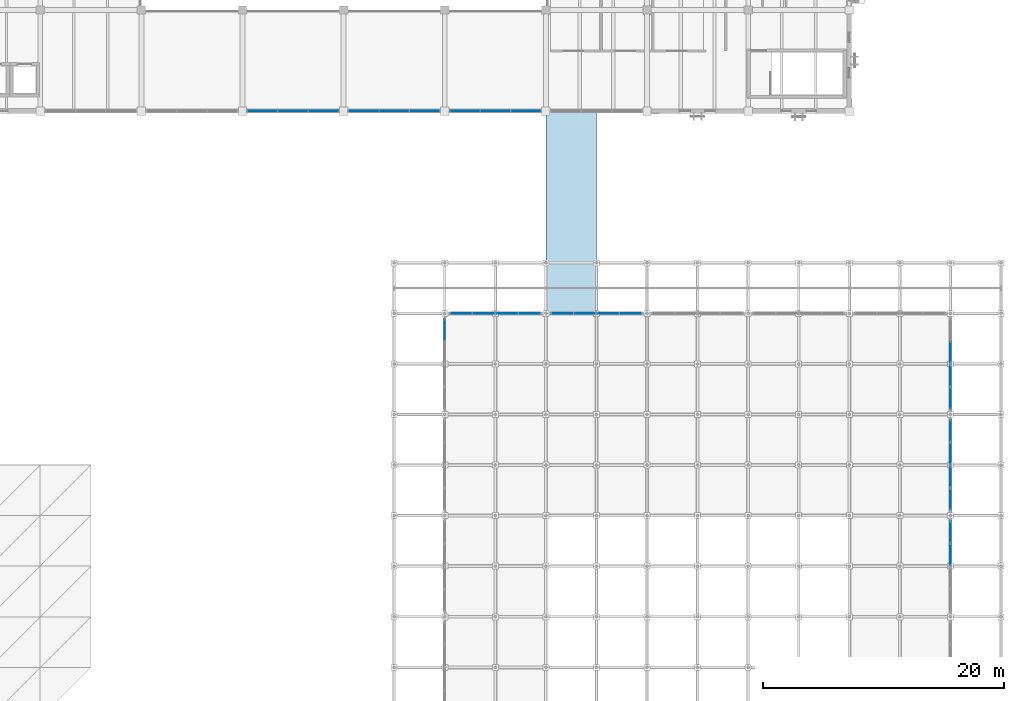
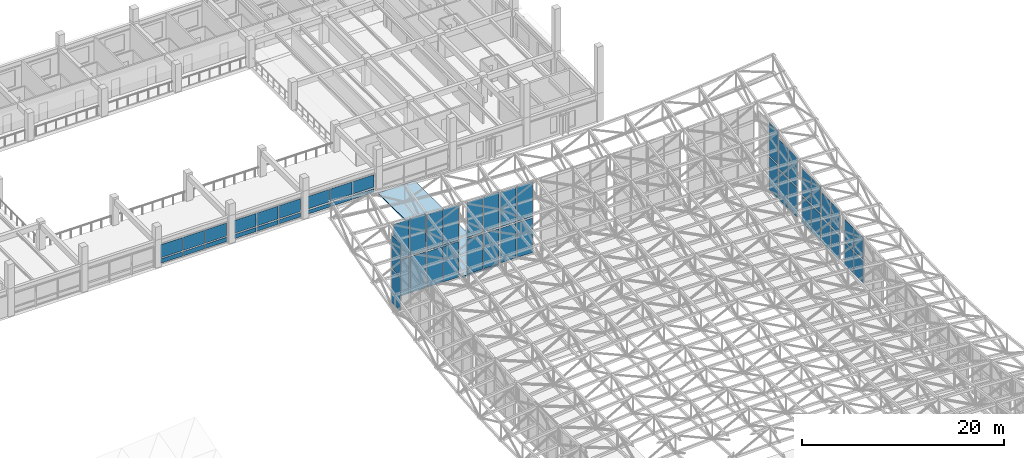
# One storey, part 71 of 123: 54 plates, 1 slab, 13 elements without a shape of their own.
"""IFC4 building model written with IfcOpenShell, lengths in metres."""

from ifc_helpers import new_model, si_unit, direction, frame, origin, origin_2d, place, context, subcontext, project, spatial, polyline, rectangle, outline, extrude, material, layer, layer_set, type_object, element, aggregate, save


model = new_model("IFC4")

# Units and contexts
model_context = context("Model", 3, precision=1e-05, world=origin(), true_north=direction((0.0, 1.0)))
body_context = subcontext(model_context, "Body", "Model", "MODEL_VIEW")
ifc_project = project(units=[si_unit("LENGTHUNIT", "METRE"), si_unit("AREAUNIT", "SQUARE_METRE"), si_unit("VOLUMEUNIT", "CUBIC_METRE"), si_unit("PLANEANGLEUNIT", "RADIAN"), si_unit("MASSUNIT", "GRAM", prefix="KILO")], contexts=[model_context])

# Site, building, storey
site_placement = place(None, origin())
site = spatial("IfcSite", under=ifc_project, at=site_placement, CompositionType="ELEMENT")
building_placement = place(site_placement, origin())
building = spatial("IfcBuilding", under=site, at=building_placement, Name="Cumbredor Promenade Congress Hotel", CompositionType="ELEMENT")
storey_placement = place(building_placement, frame((0.0, 0.0, 11.760009765625)))
storey = spatial("IfcBuildingStorey", under=building, at=storey_placement, Name="L03", CompositionType="ELEMENT", Elevation=11.760009765625)

# Curtain wall, plates
ifc_material_1 = material(Name="Thermally broken anodized aluminium and low-E glass", Category="aluminium")
curtain_wall_type_1 = type_object("IfcCurtainWallType", Name="Stepped Pavilion Clerestory Curtain Wall CW-06", PredefinedType="NOTDEFINED", material=ifc_material_1)
curtain_wall_1_placement = place(storey_placement, origin())
curtain_wall_1 = element("IfcCurtainWall", 1, at=curtain_wall_1_placement, inside=storey, type_object=curtain_wall_type_1, Name="Grand Ballroom Pavilion N Glazed Clerestory 1", PredefinedType="NOTDEFINED")
ifc_material_2 = material(Name="Laminated low-E solar-control glass", Category="glass")
ifc_layer_1 = layer(ifc_material_2, 0.031982421875, Name="Laminated low-E solar-control glass", Category="glass")
ifc_layer_set_1 = layer_set([ifc_layer_1], Name="Laminated low-E solar-control glass")
plate_type_1 = type_object("IfcPlateType", Name="Clerestory Glazed Vision Panel PNL-07", PredefinedType="CURTAIN_PANEL", material=ifc_layer_set_1)
plate_1_placement = place(storey_placement, frame((144.169921875, 67.199951171875, 0.169921875), z_axis=(0.0, 0.0, 1.0), x_axis=(1.0, 0.0, 0.0)))
plate_1 = element("IfcPlate", 2, at=plate_1_placement, type_object=plate_type_1, Name="Grand Ballroom Pavilion N Glazed Clerestory 1 Glazing Panel 1.1", PredefinedType="CURTAIN_PANEL", context=body_context, shape_type="SweptSolid", body=[
    extrude(rectangle(XDim=1.77490234375, YDim=0.031982421875, at=origin_2d()), origin(), (0.0, 0.0, 1.0), 4.3701171875),
])
plate_2_placement = place(storey_placement, frame((144.169921875, 67.199951171875, 4.719970703125), z_axis=(0.0, 0.0, 1.0), x_axis=(1.0, 0.0, 0.0)))
plate_2 = element("IfcPlate", 3, at=plate_2_placement, type_object=plate_type_1, Name="Grand Ballroom Pavilion N Glazed Clerestory 1 Glazing Panel 1.2", PredefinedType="CURTAIN_PANEL", context=body_context, shape_type="SweptSolid", body=[
    extrude(rectangle(XDim=1.77490234375, YDim=0.031982421875, at=origin_2d()), origin(), (0.0, 0.0, 1.0), 4.3701171875),
])
plate_3_placement = place(storey_placement, frame((146.030029296875, 67.199951171875, 0.169921875), z_axis=(0.0, 0.0, 1.0), x_axis=(1.0, 0.0, 0.0)))
plate_3 = element("IfcPlate", 4, at=plate_3_placement, type_object=plate_type_1, Name="Grand Ballroom Pavilion N Glazed Clerestory 1 Glazing Panel 2.1", PredefinedType="CURTAIN_PANEL", context=body_context, shape_type="SweptSolid", body=[
    extrude(rectangle(XDim=1.77490234375, YDim=0.031982421875, at=origin_2d()), origin(), (0.0, 0.0, 1.0), 4.3701171875),
])
plate_4_placement = place(storey_placement, frame((146.030029296875, 67.199951171875, 4.719970703125), z_axis=(0.0, 0.0, 1.0), x_axis=(1.0, 0.0, 0.0)))
plate_4 = element("IfcPlate", 5, at=plate_4_placement, type_object=plate_type_1, Name="Grand Ballroom Pavilion N Glazed Clerestory 1 Glazing Panel 2.2", PredefinedType="CURTAIN_PANEL", context=body_context, shape_type="SweptSolid", body=[
    extrude(rectangle(XDim=1.77490234375, YDim=0.031982421875, at=origin_2d()), origin(), (0.0, 0.0, 1.0), 4.3701171875),
])
aggregate(curtain_wall_1, [plate_1, plate_2, plate_3, plate_4])

curtain_wall_2_placement = place(storey_placement, origin())
curtain_wall_2 = element("IfcCurtainWall", 6, at=curtain_wall_2_placement, inside=storey, type_object=curtain_wall_type_1, Name="Grand Ballroom Pavilion N Glazed Clerestory 2", PredefinedType="NOTDEFINED")
plate_5_placement = place(storey_placement, frame((147.969970703125, 67.199951171875, 0.169921875), z_axis=(0.0, 0.0, 1.0), x_axis=(1.0, 0.0, 0.0)))
plate_5 = element("IfcPlate", 7, at=plate_5_placement, type_object=plate_type_1, Name="Grand Ballroom Pavilion N Glazed Clerestory 2 Glazing Panel 1.1", PredefinedType="CURTAIN_PANEL", context=body_context, shape_type="SweptSolid", body=[
    extrude(rectangle(XDim=1.77490234375, YDim=0.031982421875, at=origin_2d()), origin(), (0.0, 0.0, 1.0), 4.280029296875),
])
plate_6_placement = place(storey_placement, frame((147.969970703125, 67.199951171875, 4.6298828125), z_axis=(0.0, 0.0, 1.0), x_axis=(1.0, 0.0, 0.0)))
plate_6 = element("IfcPlate", 8, at=plate_6_placement, type_object=plate_type_1, Name="Grand Ballroom Pavilion N Glazed Clerestory 2 Glazing Panel 1.2", PredefinedType="CURTAIN_PANEL", context=body_context, shape_type="SweptSolid", body=[
    extrude(rectangle(XDim=1.77490234375, YDim=0.031982421875, at=origin_2d()), origin(), (0.0, 0.0, 1.0), 4.2900390625),
])
plate_7_placement = place(storey_placement, frame((149.830078125, 67.199951171875, 0.169921875), z_axis=(0.0, 0.0, 1.0), x_axis=(1.0, 0.0, 0.0)))
plate_7 = element("IfcPlate", 9, at=plate_7_placement, type_object=plate_type_1, Name="Grand Ballroom Pavilion N Glazed Clerestory 2 Glazing Panel 2.1", PredefinedType="CURTAIN_PANEL", context=body_context, shape_type="SweptSolid", body=[
    extrude(rectangle(XDim=1.77490234375, YDim=0.031982421875, at=origin_2d()), origin(), (0.0, 0.0, 1.0), 4.280029296875),
])
plate_8_placement = place(storey_placement, frame((149.830078125, 67.199951171875, 4.6298828125), z_axis=(0.0, 0.0, 1.0), x_axis=(1.0, 0.0, 0.0)))
plate_8 = element("IfcPlate", 10, at=plate_8_placement, type_object=plate_type_1, Name="Grand Ballroom Pavilion N Glazed Clerestory 2 Glazing Panel 2.2", PredefinedType="CURTAIN_PANEL", context=body_context, shape_type="SweptSolid", body=[
    extrude(rectangle(XDim=1.77490234375, YDim=0.031982421875, at=origin_2d()), origin(), (0.0, 0.0, 1.0), 4.2900390625),
])
aggregate(curtain_wall_2, [plate_5, plate_6, plate_7, plate_8])

curtain_wall_3_placement = place(storey_placement, origin())
curtain_wall_3 = element("IfcCurtainWall", 11, at=curtain_wall_3_placement, inside=storey, type_object=curtain_wall_type_1, Name="Grand Ballroom Pavilion N Glazed Clerestory 3", PredefinedType="NOTDEFINED")
plate_9_placement = place(storey_placement, frame((152.570068359375, 67.199951171875, 0.169921875), z_axis=(0.0, 0.0, 1.0), x_axis=(1.0, 0.0, 0.0)))
plate_9 = element("IfcPlate", 12, at=plate_9_placement, type_object=plate_type_1, Name="Grand Ballroom Pavilion N Glazed Clerestory 3 Glazing Panel 1.1", PredefinedType="CURTAIN_PANEL", context=body_context, shape_type="SweptSolid", body=[
    extrude(rectangle(XDim=1.77490234375, YDim=0.031982421875, at=origin_2d()), origin(), (0.0, 0.0, 1.0), 4.219970703125),
])
plate_10_placement = place(storey_placement, frame((152.570068359375, 67.199951171875, 4.570068359375), z_axis=(0.0, 0.0, 1.0), x_axis=(1.0, 0.0, 0.0)))
plate_10 = element("IfcPlate", 13, at=plate_10_placement, type_object=plate_type_1, Name="Grand Ballroom Pavilion N Glazed Clerestory 3 Glazing Panel 1.2", PredefinedType="CURTAIN_PANEL", context=body_context, shape_type="SweptSolid", body=[
    extrude(rectangle(XDim=1.77490234375, YDim=0.031982421875, at=origin_2d()), origin(), (0.0, 0.0, 1.0), 4.22998046875),
])
plate_11_placement = place(storey_placement, frame((154.429931640625, 67.199951171875, 0.169921875), z_axis=(0.0, 0.0, 1.0), x_axis=(1.0, 0.0, 0.0)))
plate_11 = element("IfcPlate", 14, at=plate_11_placement, type_object=plate_type_1, Name="Grand Ballroom Pavilion N Glazed Clerestory 3 Glazing Panel 2.1", PredefinedType="CURTAIN_PANEL", context=body_context, shape_type="SweptSolid", body=[
    extrude(rectangle(XDim=1.77490234375, YDim=0.031982421875, at=origin_2d()), origin(), (0.0, 0.0, 1.0), 4.219970703125),
])
plate_12_placement = place(storey_placement, frame((154.429931640625, 67.199951171875, 4.570068359375), z_axis=(0.0, 0.0, 1.0), x_axis=(1.0, 0.0, 0.0)))
plate_12 = element("IfcPlate", 15, at=plate_12_placement, type_object=plate_type_1, Name="Grand Ballroom Pavilion N Glazed Clerestory 3 Glazing Panel 2.2", PredefinedType="CURTAIN_PANEL", context=body_context, shape_type="SweptSolid", body=[
    extrude(rectangle(XDim=1.77490234375, YDim=0.031982421875, at=origin_2d()), origin(), (0.0, 0.0, 1.0), 4.22998046875),
])
aggregate(curtain_wall_3, [plate_9, plate_10, plate_11, plate_12])

curtain_wall_4_placement = place(storey_placement, origin())
curtain_wall_4 = element("IfcCurtainWall", 16, at=curtain_wall_4_placement, inside=storey, type_object=curtain_wall_type_1, Name="Grand Ballroom Pavilion N Glazed Clerestory 4", PredefinedType="NOTDEFINED")
plate_13_placement = place(storey_placement, frame((156.3701171875, 67.199951171875, 0.169921875), z_axis=(0.0, 0.0, 1.0), x_axis=(1.0, 0.0, 0.0)))
plate_13 = element("IfcPlate", 17, at=plate_13_placement, type_object=plate_type_1, Name="Grand Ballroom Pavilion N Glazed Clerestory 4 Glazing Panel 1.1", PredefinedType="CURTAIN_PANEL", context=body_context, shape_type="SweptSolid", body=[
    extrude(rectangle(XDim=1.77490234375, YDim=0.031982421875, at=origin_2d()), origin(), (0.0, 0.0, 1.0), 4.179931640625),
])
plate_14_placement = place(storey_placement, frame((156.3701171875, 67.199951171875, 4.530029296875), z_axis=(0.0, 0.0, 1.0), x_axis=(1.0, 0.0, 0.0)))
plate_14 = element("IfcPlate", 18, at=plate_14_placement, type_object=plate_type_1, Name="Grand Ballroom Pavilion N Glazed Clerestory 4 Glazing Panel 1.2", PredefinedType="CURTAIN_PANEL", context=body_context, shape_type="SweptSolid", body=[
    extrude(rectangle(XDim=1.77490234375, YDim=0.031982421875, at=origin_2d()), origin(), (0.0, 0.0, 1.0), 4.18994140625),
])
plate_15_placement = place(storey_placement, frame((158.22998046875, 67.199951171875, 0.169921875), z_axis=(0.0, 0.0, 1.0), x_axis=(1.0, 0.0, 0.0)))
plate_15 = element("IfcPlate", 19, at=plate_15_placement, type_object=plate_type_1, Name="Grand Ballroom Pavilion N Glazed Clerestory 4 Glazing Panel 2.1", PredefinedType="CURTAIN_PANEL", context=body_context, shape_type="SweptSolid", body=[
    extrude(rectangle(XDim=1.77490234375, YDim=0.031982421875, at=origin_2d()), origin(), (0.0, 0.0, 1.0), 4.179931640625),
])
plate_16_placement = place(storey_placement, frame((158.22998046875, 67.199951171875, 4.530029296875), z_axis=(0.0, 0.0, 1.0), x_axis=(1.0, 0.0, 0.0)))
plate_16 = element("IfcPlate", 20, at=plate_16_placement, type_object=plate_type_1, Name="Grand Ballroom Pavilion N Glazed Clerestory 4 Glazing Panel 2.2", PredefinedType="CURTAIN_PANEL", context=body_context, shape_type="SweptSolid", body=[
    extrude(rectangle(XDim=1.77490234375, YDim=0.031982421875, at=origin_2d()), origin(), (0.0, 0.0, 1.0), 4.18994140625),
])
aggregate(curtain_wall_4, [plate_13, plate_14, plate_15, plate_16])

curtain_wall_5_placement = place(storey_placement, origin())
curtain_wall_5 = element("IfcCurtainWall", 21, at=curtain_wall_5_placement, inside=storey, type_object=curtain_wall_type_1, Name="Grand Ballroom Pavilion W Glazed Clerestory 14", PredefinedType="NOTDEFINED")
plate_17_placement = place(storey_placement, frame((142.800048828125, 65.830078125, 0.169921875), z_axis=(0.0, 0.0, 1.0), x_axis=(0.0, 1.0, 0.0)))
plate_17 = element("IfcPlate", 22, at=plate_17_placement, type_object=plate_type_1, Name="Grand Ballroom Pavilion W Glazed Clerestory 14 Glazing Panel 2.1", PredefinedType="CURTAIN_PANEL", context=body_context, shape_type="SweptSolid", body=[
    extrude(rectangle(XDim=1.77490234375, YDim=0.031982421875, at=origin_2d()), origin(), (0.0, 0.0, 1.0), 3.969970703125),
])
plate_18_placement = place(storey_placement, frame((142.800048828125, 65.830078125, 4.31982421875), z_axis=(0.0, 0.0, 1.0), x_axis=(0.0, 1.0, 0.0)))
plate_18 = element("IfcPlate", 23, at=plate_18_placement, type_object=plate_type_1, Name="Grand Ballroom Pavilion W Glazed Clerestory 14 Glazing Panel 2.2", PredefinedType="CURTAIN_PANEL", context=body_context, shape_type="SweptSolid", body=[
    extrude(rectangle(XDim=1.77490234375, YDim=0.031982421875, at=origin_2d()), origin(), (0.0, 0.0, 1.0), 3.969970703125),
])
aggregate(curtain_wall_5, [plate_17, plate_18])

curtain_wall_6_placement = place(storey_placement, origin())
curtain_wall_6 = element("IfcCurtainWall", 24, at=curtain_wall_6_placement, inside=storey, type_object=curtain_wall_type_1, Name="Grand Ballroom Pavilion E Glazed Clerestory 10", PredefinedType="NOTDEFINED")
plate_19_placement = place(storey_placement, frame((184.800048828125, 47.169921875, 0.169921875), z_axis=(0.0, 0.0, 1.0), x_axis=(0.0, 1.0, 0.0)))
plate_19 = element("IfcPlate", 25, at=plate_19_placement, type_object=plate_type_1, Name="Grand Ballroom Pavilion E Glazed Clerestory 10 Glazing Panel 1.1", PredefinedType="CURTAIN_PANEL", context=body_context, shape_type="SweptSolid", body=[
    extrude(rectangle(XDim=1.77490234375, YDim=0.031982421875, at=origin_2d()), origin(), (0.0, 0.0, 1.0), 2.659912109375),
])
plate_20_placement = place(storey_placement, frame((184.800048828125, 47.169921875, 3.010009765625), z_axis=(0.0, 0.0, 1.0), x_axis=(0.0, 1.0, 0.0)))
plate_20 = element("IfcPlate", 26, at=plate_20_placement, type_object=plate_type_1, Name="Grand Ballroom Pavilion E Glazed Clerestory 10 Glazing Panel 1.2", PredefinedType="CURTAIN_PANEL", context=body_context, shape_type="SweptSolid", body=[
    extrude(rectangle(XDim=1.77490234375, YDim=0.031982421875, at=origin_2d()), origin(), (0.0, 0.0, 1.0), 2.64990234375),
])
plate_21_placement = place(storey_placement, frame((184.800048828125, 49.030029296875, 0.169921875), z_axis=(0.0, 0.0, 1.0), x_axis=(0.0, 1.0, 0.0)))
plate_21 = element("IfcPlate", 27, at=plate_21_placement, type_object=plate_type_1, Name="Grand Ballroom Pavilion E Glazed Clerestory 10 Glazing Panel 2.1", PredefinedType="CURTAIN_PANEL", context=body_context, shape_type="SweptSolid", body=[
    extrude(rectangle(XDim=1.77490234375, YDim=0.031982421875, at=origin_2d()), origin(), (0.0, 0.0, 1.0), 2.659912109375),
])
plate_22_placement = place(storey_placement, frame((184.800048828125, 49.030029296875, 3.010009765625), z_axis=(0.0, 0.0, 1.0), x_axis=(0.0, 1.0, 0.0)))
plate_22 = element("IfcPlate", 28, at=plate_22_placement, type_object=plate_type_1, Name="Grand Ballroom Pavilion E Glazed Clerestory 10 Glazing Panel 2.2", PredefinedType="CURTAIN_PANEL", context=body_context, shape_type="SweptSolid", body=[
    extrude(rectangle(XDim=1.77490234375, YDim=0.031982421875, at=origin_2d()), origin(), (0.0, 0.0, 1.0), 2.64990234375),
])
aggregate(curtain_wall_6, [plate_19, plate_20, plate_21, plate_22])

curtain_wall_7_placement = place(storey_placement, origin())
curtain_wall_7 = element("IfcCurtainWall", 29, at=curtain_wall_7_placement, inside=storey, type_object=curtain_wall_type_1, Name="Grand Ballroom Pavilion E Glazed Clerestory 11", PredefinedType="NOTDEFINED")
plate_23_placement = place(storey_placement, frame((184.800048828125, 51.77001953125, 0.169921875), z_axis=(0.0, 0.0, 1.0), x_axis=(0.0, 1.0, 0.0)))
plate_23 = element("IfcPlate", 30, at=plate_23_placement, type_object=plate_type_1, Name="Grand Ballroom Pavilion E Glazed Clerestory 11 Glazing Panel 1.1", PredefinedType="CURTAIN_PANEL", context=body_context, shape_type="SweptSolid", body=[
    extrude(rectangle(XDim=1.77490234375, YDim=0.031982421875, at=origin_2d()), origin(), (0.0, 0.0, 1.0), 2.8701171875),
])
plate_24_placement = place(storey_placement, frame((184.800048828125, 51.77001953125, 3.219970703125), z_axis=(0.0, 0.0, 1.0), x_axis=(0.0, 1.0, 0.0)))
plate_24 = element("IfcPlate", 31, at=plate_24_placement, type_object=plate_type_1, Name="Grand Ballroom Pavilion E Glazed Clerestory 11 Glazing Panel 1.2", PredefinedType="CURTAIN_PANEL", context=body_context, shape_type="SweptSolid", body=[
    extrude(rectangle(XDim=1.77490234375, YDim=0.031982421875, at=origin_2d()), origin(), (0.0, 0.0, 1.0), 2.8701171875),
])
plate_25_placement = place(storey_placement, frame((184.800048828125, 53.6298828125, 0.169921875), z_axis=(0.0, 0.0, 1.0), x_axis=(0.0, 1.0, 0.0)))
plate_25 = element("IfcPlate", 32, at=plate_25_placement, type_object=plate_type_1, Name="Grand Ballroom Pavilion E Glazed Clerestory 11 Glazing Panel 2.1", PredefinedType="CURTAIN_PANEL", context=body_context, shape_type="SweptSolid", body=[
    extrude(rectangle(XDim=1.77490234375, YDim=0.031982421875, at=origin_2d()), origin(), (0.0, 0.0, 1.0), 2.8701171875),
])
plate_26_placement = place(storey_placement, frame((184.800048828125, 53.6298828125, 3.219970703125), z_axis=(0.0, 0.0, 1.0), x_axis=(0.0, 1.0, 0.0)))
plate_26 = element("IfcPlate", 33, at=plate_26_placement, type_object=plate_type_1, Name="Grand Ballroom Pavilion E Glazed Clerestory 11 Glazing Panel 2.2", PredefinedType="CURTAIN_PANEL", context=body_context, shape_type="SweptSolid", body=[
    extrude(rectangle(XDim=1.77490234375, YDim=0.031982421875, at=origin_2d()), origin(), (0.0, 0.0, 1.0), 2.8701171875),
])
aggregate(curtain_wall_7, [plate_23, plate_24, plate_25, plate_26])

curtain_wall_8_placement = place(storey_placement, origin())
curtain_wall_8 = element("IfcCurtainWall", 34, at=curtain_wall_8_placement, inside=storey, type_object=curtain_wall_type_1, Name="Grand Ballroom Pavilion E Glazed Clerestory 12", PredefinedType="NOTDEFINED")
plate_27_placement = place(storey_placement, frame((184.800048828125, 55.570068359375, 0.169921875), z_axis=(0.0, 0.0, 1.0), x_axis=(0.0, 1.0, 0.0)))
plate_27 = element("IfcPlate", 35, at=plate_27_placement, type_object=plate_type_1, Name="Grand Ballroom Pavilion E Glazed Clerestory 12 Glazing Panel 1.1", PredefinedType="CURTAIN_PANEL", context=body_context, shape_type="SweptSolid", body=[
    extrude(rectangle(XDim=1.77490234375, YDim=0.031982421875, at=origin_2d()), origin(), (0.0, 0.0, 1.0), 3.169921875),
])
plate_28_placement = place(storey_placement, frame((184.800048828125, 55.570068359375, 3.52001953125), z_axis=(0.0, 0.0, 1.0), x_axis=(0.0, 1.0, 0.0)))
plate_28 = element("IfcPlate", 36, at=plate_28_placement, type_object=plate_type_1, Name="Grand Ballroom Pavilion E Glazed Clerestory 12 Glazing Panel 1.2", PredefinedType="CURTAIN_PANEL", context=body_context, shape_type="SweptSolid", body=[
    extrude(rectangle(XDim=1.77490234375, YDim=0.031982421875, at=origin_2d()), origin(), (0.0, 0.0, 1.0), 3.159912109375),
])
plate_29_placement = place(storey_placement, frame((184.800048828125, 57.429931640625, 0.169921875), z_axis=(0.0, 0.0, 1.0), x_axis=(0.0, 1.0, 0.0)))
plate_29 = element("IfcPlate", 37, at=plate_29_placement, type_object=plate_type_1, Name="Grand Ballroom Pavilion E Glazed Clerestory 12 Glazing Panel 2.1", PredefinedType="CURTAIN_PANEL", context=body_context, shape_type="SweptSolid", body=[
    extrude(rectangle(XDim=1.77490234375, YDim=0.031982421875, at=origin_2d()), origin(), (0.0, 0.0, 1.0), 3.169921875),
])
plate_30_placement = place(storey_placement, frame((184.800048828125, 57.429931640625, 3.52001953125), z_axis=(0.0, 0.0, 1.0), x_axis=(0.0, 1.0, 0.0)))
plate_30 = element("IfcPlate", 38, at=plate_30_placement, type_object=plate_type_1, Name="Grand Ballroom Pavilion E Glazed Clerestory 12 Glazing Panel 2.2", PredefinedType="CURTAIN_PANEL", context=body_context, shape_type="SweptSolid", body=[
    extrude(rectangle(XDim=1.77490234375, YDim=0.031982421875, at=origin_2d()), origin(), (0.0, 0.0, 1.0), 3.159912109375),
])
aggregate(curtain_wall_8, [plate_27, plate_28, plate_29, plate_30])

curtain_wall_9_placement = place(storey_placement, origin())
curtain_wall_9 = element("IfcCurtainWall", 39, at=curtain_wall_9_placement, inside=storey, type_object=curtain_wall_type_1, Name="Grand Ballroom Pavilion E Glazed Clerestory 13", PredefinedType="NOTDEFINED")
plate_31_placement = place(storey_placement, frame((184.800048828125, 60.169921875, 0.169921875), z_axis=(0.0, 0.0, 1.0), x_axis=(0.0, 1.0, 0.0)))
plate_31 = element("IfcPlate", 40, at=plate_31_placement, type_object=plate_type_1, Name="Grand Ballroom Pavilion E Glazed Clerestory 13 Glazing Panel 1.1", PredefinedType="CURTAIN_PANEL", context=body_context, shape_type="SweptSolid", body=[
    extrude(rectangle(XDim=1.77490234375, YDim=0.031982421875, at=origin_2d()), origin(), (0.0, 0.0, 1.0), 3.530029296875),
])
plate_32_placement = place(storey_placement, frame((184.800048828125, 60.169921875, 3.8798828125), z_axis=(0.0, 0.0, 1.0), x_axis=(0.0, 1.0, 0.0)))
plate_32 = element("IfcPlate", 41, at=plate_32_placement, type_object=plate_type_1, Name="Grand Ballroom Pavilion E Glazed Clerestory 13 Glazing Panel 1.2", PredefinedType="CURTAIN_PANEL", context=body_context, shape_type="SweptSolid", body=[
    extrude(rectangle(XDim=1.77490234375, YDim=0.031982421875, at=origin_2d()), origin(), (0.0, 0.0, 1.0), 3.530029296875),
])
plate_33_placement = place(storey_placement, frame((184.800048828125, 62.030029296875, 0.169921875), z_axis=(0.0, 0.0, 1.0), x_axis=(0.0, 1.0, 0.0)))
plate_33 = element("IfcPlate", 42, at=plate_33_placement, type_object=plate_type_1, Name="Grand Ballroom Pavilion E Glazed Clerestory 13 Glazing Panel 2.1", PredefinedType="CURTAIN_PANEL", context=body_context, shape_type="SweptSolid", body=[
    extrude(rectangle(XDim=1.77490234375, YDim=0.031982421875, at=origin_2d()), origin(), (0.0, 0.0, 1.0), 3.530029296875),
])
plate_34_placement = place(storey_placement, frame((184.800048828125, 62.030029296875, 3.8798828125), z_axis=(0.0, 0.0, 1.0), x_axis=(0.0, 1.0, 0.0)))
plate_34 = element("IfcPlate", 43, at=plate_34_placement, type_object=plate_type_1, Name="Grand Ballroom Pavilion E Glazed Clerestory 13 Glazing Panel 2.2", PredefinedType="CURTAIN_PANEL", context=body_context, shape_type="SweptSolid", body=[
    extrude(rectangle(XDim=1.77490234375, YDim=0.031982421875, at=origin_2d()), origin(), (0.0, 0.0, 1.0), 3.530029296875),
])
aggregate(curtain_wall_9, [plate_31, plate_32, plate_33, plate_34])

curtain_wall_10_placement = place(storey_placement, origin())
curtain_wall_10 = element("IfcCurtainWall", 44, at=curtain_wall_10_placement, inside=storey, type_object=curtain_wall_type_1, Name="Grand Ballroom Pavilion E Glazed Clerestory 14", PredefinedType="NOTDEFINED")
plate_35_placement = place(storey_placement, frame((184.800048828125, 63.969970703125, 0.169921875), z_axis=(0.0, 0.0, 1.0), x_axis=(0.0, 1.0, 0.0)))
plate_35 = element("IfcPlate", 45, at=plate_35_placement, type_object=plate_type_1, Name="Grand Ballroom Pavilion E Glazed Clerestory 14 Glazing Panel 1.1", PredefinedType="CURTAIN_PANEL", context=body_context, shape_type="SweptSolid", body=[
    extrude(rectangle(XDim=1.77490234375, YDim=0.031982421875, at=origin_2d()), origin(), (0.0, 0.0, 1.0), 3.969970703125),
])
plate_36_placement = place(storey_placement, frame((184.800048828125, 63.969970703125, 4.31982421875), z_axis=(0.0, 0.0, 1.0), x_axis=(0.0, 1.0, 0.0)))
plate_36 = element("IfcPlate", 46, at=plate_36_placement, type_object=plate_type_1, Name="Grand Ballroom Pavilion E Glazed Clerestory 14 Glazing Panel 1.2", PredefinedType="CURTAIN_PANEL", context=body_context, shape_type="SweptSolid", body=[
    extrude(rectangle(XDim=1.77490234375, YDim=0.031982421875, at=origin_2d()), origin(), (0.0, 0.0, 1.0), 3.969970703125),
])
aggregate(curtain_wall_10, [plate_35, plate_36])

curtain_wall_type_2 = type_object("IfcCurtainWallType", Name="Unitised Forum Curtain Wall CW-02", PredefinedType="NOTDEFINED", material=ifc_material_1)
curtain_wall_11_placement = place(storey_placement, origin())
curtain_wall_11 = element("IfcCurtainWall", 47, at=curtain_wall_11_placement, inside=storey, type_object=curtain_wall_type_2, Name="L03 Pre-Function and Breakout Meeting Forum South Curtain Wall 5", PredefinedType="NOTDEFINED")
ifc_layer_2 = layer(ifc_material_2, 0.028076171875, Name="Laminated low-E solar-control glass", Category="glass")
ifc_layer_set_2 = layer_set([ifc_layer_2], Name="Laminated low-E solar-control glass")
plate_type_2 = type_object("IfcPlateType", Name="Glazed Vision Panel PNL-01", PredefinedType="CURTAIN_PANEL", material=ifc_layer_set_2)
plate_37_placement = place(storey_placement, frame((127.669921875, 84.0, 0.784912109375), z_axis=(0.0, 0.0, 1.0), x_axis=(1.0, 0.0, 0.0)))
plate_37 = element("IfcPlate", 48, at=plate_37_placement, type_object=plate_type_2, Name="L03 Pre-Function and Breakout Meeting Forum South Curtain Wall 5 Glazing Panel 1.2", PredefinedType="CURTAIN_PANEL", context=body_context, shape_type="SweptSolid", body=[
    extrude(rectangle(XDim=2.465087890625, YDim=0.028076171875, at=origin_2d()), origin(), (0.0, 0.0, 1.0), 1.580078125),
])
plate_38_placement = place(storey_placement, frame((130.199951171875, 84.0, 0.784912109375), z_axis=(0.0, 0.0, 1.0), x_axis=(1.0, 0.0, 0.0)))
plate_38 = element("IfcPlate", 49, at=plate_38_placement, type_object=plate_type_2, Name="L03 Pre-Function and Breakout Meeting Forum South Curtain Wall 5 Glazing Panel 2.2", PredefinedType="CURTAIN_PANEL", context=body_context, shape_type="SweptSolid", body=[
    extrude(rectangle(XDim=2.465087890625, YDim=0.028076171875, at=origin_2d()), origin(), (0.0, 0.0, 1.0), 1.580078125),
])
plate_39_placement = place(storey_placement, frame((132.72998046875, 84.0, 0.784912109375), z_axis=(0.0, 0.0, 1.0), x_axis=(1.0, 0.0, 0.0)))
plate_39 = element("IfcPlate", 50, at=plate_39_placement, type_object=plate_type_2, Name="L03 Pre-Function and Breakout Meeting Forum South Curtain Wall 5 Glazing Panel 3.2", PredefinedType="CURTAIN_PANEL", context=body_context, shape_type="SweptSolid", body=[
    extrude(rectangle(XDim=2.465087890625, YDim=0.028076171875, at=origin_2d()), origin(), (0.0, 0.0, 1.0), 1.580078125),
])

curtain_wall_12_placement = place(storey_placement, origin())
curtain_wall_12 = element("IfcCurtainWall", 51, at=curtain_wall_12_placement, inside=storey, type_object=curtain_wall_type_2, Name="L03 Pre-Function and Breakout Meeting Forum South Curtain Wall 6", PredefinedType="NOTDEFINED")
ifc_layer_3 = layer(ifc_material_2, 0.031982421875, Name="Laminated low-E solar-control glass", Category="glass")
ifc_layer_set_3 = layer_set([ifc_layer_3], Name="Laminated low-E solar-control glass")
plate_type_3 = type_object("IfcPlateType", Name="Glazed Vision Panel PNL-02", PredefinedType="CURTAIN_PANEL", material=ifc_layer_set_3)
plate_40_placement = place(storey_placement, frame((136.070068359375, 84.0, 0.794921875), z_axis=(0.0, 0.0, 1.0), x_axis=(1.0, 0.0, 0.0)))
plate_40 = element("IfcPlate", 52, at=plate_40_placement, type_object=plate_type_3, Name="L03 Pre-Function and Breakout Meeting Forum South Curtain Wall 6 Glazing Panel 1.2", PredefinedType="CURTAIN_PANEL", context=body_context, shape_type="SweptSolid", body=[
    extrude(rectangle(XDim=2.455078125, YDim=0.031982421875, at=origin_2d()), origin(), (0.0, 0.0, 1.0), 1.550048828125),
])
plate_41_placement = place(storey_placement, frame((138.60009765625, 84.0, 0.794921875), z_axis=(0.0, 0.0, 1.0), x_axis=(1.0, 0.0, 0.0)))
plate_41 = element("IfcPlate", 53, at=plate_41_placement, type_object=plate_type_3, Name="L03 Pre-Function and Breakout Meeting Forum South Curtain Wall 6 Glazing Panel 2.2", PredefinedType="CURTAIN_PANEL", context=body_context, shape_type="SweptSolid", body=[
    extrude(rectangle(XDim=2.455078125, YDim=0.031982421875, at=origin_2d()), origin(), (0.0, 0.0, 1.0), 1.550048828125),
])
plate_42_placement = place(storey_placement, frame((141.1298828125, 84.0, 0.794921875), z_axis=(0.0, 0.0, 1.0), x_axis=(1.0, 0.0, 0.0)))
plate_42 = element("IfcPlate", 54, at=plate_42_placement, type_object=plate_type_3, Name="L03 Pre-Function and Breakout Meeting Forum South Curtain Wall 6 Glazing Panel 3.2", PredefinedType="CURTAIN_PANEL", context=body_context, shape_type="SweptSolid", body=[
    extrude(rectangle(XDim=2.455078125, YDim=0.031982421875, at=origin_2d()), origin(), (0.0, 0.0, 1.0), 1.550048828125),
])

curtain_wall_13_placement = place(storey_placement, origin())
curtain_wall_13 = element("IfcCurtainWall", 55, at=curtain_wall_13_placement, inside=storey, type_object=curtain_wall_type_2, Name="L03 Pre-Function and Breakout Meeting Forum South Curtain Wall 7", PredefinedType="NOTDEFINED")
ifc_layer_4 = layer(ifc_material_2, 0.028076171875, Name="Laminated low-E solar-control glass", Category="glass")
ifc_layer_set_4 = layer_set([ifc_layer_4], Name="Laminated low-E solar-control glass")
plate_type_4 = type_object("IfcPlateType", Name="Glazed Vision Panel PNL-03", PredefinedType="CURTAIN_PANEL", material=ifc_layer_set_4)
plate_43_placement = place(storey_placement, frame((144.469970703125, 84.0, 0.81005859375), z_axis=(0.0, 0.0, 1.0), x_axis=(1.0, 0.0, 0.0)))
plate_43 = element("IfcPlate", 56, at=plate_43_placement, type_object=plate_type_4, Name="L03 Pre-Function and Breakout Meeting Forum South Curtain Wall 7 Glazing Panel 1.2", PredefinedType="CURTAIN_PANEL", context=body_context, shape_type="SweptSolid", body=[
    extrude(rectangle(XDim=2.449951171875, YDim=0.028076171875, at=origin_2d()), origin(), (0.0, 0.0, 1.0), 1.5),
])
plate_44_placement = place(storey_placement, frame((147.0, 84.0, 0.81005859375), z_axis=(0.0, 0.0, 1.0), x_axis=(1.0, 0.0, 0.0)))
plate_44 = element("IfcPlate", 57, at=plate_44_placement, type_object=plate_type_4, Name="L03 Pre-Function and Breakout Meeting Forum South Curtain Wall 7 Glazing Panel 2.2", PredefinedType="CURTAIN_PANEL", context=body_context, shape_type="SweptSolid", body=[
    extrude(rectangle(XDim=2.449951171875, YDim=0.028076171875, at=origin_2d()), origin(), (0.0, 0.0, 1.0), 1.5),
])
plate_45_placement = place(storey_placement, frame((149.530029296875, 84.0, 0.81005859375), z_axis=(0.0, 0.0, 1.0), x_axis=(1.0, 0.0, 0.0)))
plate_45 = element("IfcPlate", 58, at=plate_45_placement, type_object=plate_type_4, Name="L03 Pre-Function and Breakout Meeting Forum South Curtain Wall 7 Glazing Panel 3.2", PredefinedType="CURTAIN_PANEL", context=body_context, shape_type="SweptSolid", body=[
    extrude(rectangle(XDim=2.449951171875, YDim=0.028076171875, at=origin_2d()), origin(), (0.0, 0.0, 1.0), 1.5),
])

# Plate
ifc_material_3 = material(Name="Thermally broken anodized aluminium", Category="aluminium")
ifc_layer_5 = layer(ifc_material_3, 0.0400390625, Name="Thermally broken anodized aluminium", Category="aluminium")
ifc_layer_set_5 = layer_set([ifc_layer_5], Name="Thermally broken anodized aluminium")
plate_type_5 = type_object("IfcPlateType", Name="Insulated Spandrel Panel PNL-05", PredefinedType="CURTAIN_PANEL", material=ifc_layer_set_5)
plate_46_placement = place(storey_placement, frame((127.669921875, 84.0, 0.125), z_axis=(0.0, 0.0, 1.0), x_axis=(1.0, 0.0, 0.0)))
plate_46 = element("IfcPlate", 59, at=plate_46_placement, type_object=plate_type_5, Name="L03 Pre-Function and Breakout Meeting Forum South Curtain Wall 5 Spandrel Panel 1.1", PredefinedType="CURTAIN_PANEL", context=body_context, shape_type="SweptSolid", body=[
    extrude(rectangle(XDim=2.465087890625, YDim=0.0400390625, at=origin_2d()), origin(), (0.0, 0.0, 1.0), 0.530029296875),
])

plate_47_placement = place(storey_placement, frame((130.199951171875, 84.0, 0.125), z_axis=(0.0, 0.0, 1.0), x_axis=(1.0, 0.0, 0.0)))
plate_47 = element("IfcPlate", 60, at=plate_47_placement, type_object=plate_type_5, Name="L03 Pre-Function and Breakout Meeting Forum South Curtain Wall 5 Spandrel Panel 2.1", PredefinedType="CURTAIN_PANEL", context=body_context, shape_type="SweptSolid", body=[
    extrude(rectangle(XDim=2.465087890625, YDim=0.0400390625, at=origin_2d()), origin(), (0.0, 0.0, 1.0), 0.530029296875),
])

plate_48_placement = place(storey_placement, frame((132.72998046875, 84.0, 0.125), z_axis=(0.0, 0.0, 1.0), x_axis=(1.0, 0.0, 0.0)))
plate_48 = element("IfcPlate", 61, at=plate_48_placement, type_object=plate_type_5, Name="L03 Pre-Function and Breakout Meeting Forum South Curtain Wall 5 Spandrel Panel 3.1", PredefinedType="CURTAIN_PANEL", context=body_context, shape_type="SweptSolid", body=[
    extrude(rectangle(XDim=2.465087890625, YDim=0.0400390625, at=origin_2d()), origin(), (0.0, 0.0, 1.0), 0.530029296875),
])

aggregate(curtain_wall_11, [plate_46, plate_37, plate_47, plate_38, plate_48, plate_39])

plate_49_placement = place(storey_placement, frame((144.469970703125, 84.0, 0.18017578125), z_axis=(0.0, 0.0, 1.0), x_axis=(1.0, 0.0, 0.0)))
plate_49 = element("IfcPlate", 62, at=plate_49_placement, type_object=plate_type_5, Name="L03 Pre-Function and Breakout Meeting Forum South Curtain Wall 7 Spandrel Panel 1.1", PredefinedType="CURTAIN_PANEL", context=body_context, shape_type="SweptSolid", body=[
    extrude(rectangle(XDim=2.449951171875, YDim=0.0400390625, at=origin_2d()), origin(), (0.0, 0.0, 1.0), 0.449951171875),
])

plate_50_placement = place(storey_placement, frame((147.0, 84.0, 0.18017578125), z_axis=(0.0, 0.0, 1.0), x_axis=(1.0, 0.0, 0.0)))
plate_50 = element("IfcPlate", 63, at=plate_50_placement, type_object=plate_type_5, Name="L03 Pre-Function and Breakout Meeting Forum South Curtain Wall 7 Spandrel Panel 2.1", PredefinedType="CURTAIN_PANEL", context=body_context, shape_type="SweptSolid", body=[
    extrude(rectangle(XDim=2.449951171875, YDim=0.0400390625, at=origin_2d()), origin(), (0.0, 0.0, 1.0), 0.449951171875),
])

plate_51_placement = place(storey_placement, frame((149.530029296875, 84.0, 0.18017578125), z_axis=(0.0, 0.0, 1.0), x_axis=(1.0, 0.0, 0.0)))
plate_51 = element("IfcPlate", 64, at=plate_51_placement, type_object=plate_type_5, Name="L03 Pre-Function and Breakout Meeting Forum South Curtain Wall 7 Spandrel Panel 3.1", PredefinedType="CURTAIN_PANEL", context=body_context, shape_type="SweptSolid", body=[
    extrude(rectangle(XDim=2.449951171875, YDim=0.0400390625, at=origin_2d()), origin(), (0.0, 0.0, 1.0), 0.449951171875),
])

aggregate(curtain_wall_13, [plate_49, plate_43, plate_50, plate_44, plate_51, plate_45])

ifc_layer_6 = layer(ifc_material_3, 0.0400390625, Name="Thermally broken anodized aluminium", Category="aluminium")
ifc_layer_set_6 = layer_set([ifc_layer_6], Name="Thermally broken anodized aluminium")
plate_type_6 = type_object("IfcPlateType", Name="Insulated Spandrel Panel PNL-06", PredefinedType="CURTAIN_PANEL", material=ifc_layer_set_6)
plate_52_placement = place(storey_placement, frame((136.070068359375, 84.0, 0.14501953125), z_axis=(0.0, 0.0, 1.0), x_axis=(1.0, 0.0, 0.0)))
plate_52 = element("IfcPlate", 65, at=plate_52_placement, type_object=plate_type_6, Name="L03 Pre-Function and Breakout Meeting Forum South Curtain Wall 6 Spandrel Panel 1.1", PredefinedType="CURTAIN_PANEL", context=body_context, shape_type="SweptSolid", body=[
    extrude(rectangle(XDim=2.455078125, YDim=0.0400390625, at=origin_2d()), origin(), (0.0, 0.0, 1.0), 0.5),
])

plate_53_placement = place(storey_placement, frame((138.60009765625, 84.0, 0.14501953125), z_axis=(0.0, 0.0, 1.0), x_axis=(1.0, 0.0, 0.0)))
plate_53 = element("IfcPlate", 66, at=plate_53_placement, type_object=plate_type_6, Name="L03 Pre-Function and Breakout Meeting Forum South Curtain Wall 6 Spandrel Panel 2.1", PredefinedType="CURTAIN_PANEL", context=body_context, shape_type="SweptSolid", body=[
    extrude(rectangle(XDim=2.455078125, YDim=0.0400390625, at=origin_2d()), origin(), (0.0, 0.0, 1.0), 0.5),
])

plate_54_placement = place(storey_placement, frame((141.1298828125, 84.0, 0.14501953125), z_axis=(0.0, 0.0, 1.0), x_axis=(1.0, 0.0, 0.0)))
plate_54 = element("IfcPlate", 67, at=plate_54_placement, type_object=plate_type_6, Name="L03 Pre-Function and Breakout Meeting Forum South Curtain Wall 6 Spandrel Panel 3.1", PredefinedType="CURTAIN_PANEL", context=body_context, shape_type="SweptSolid", body=[
    extrude(rectangle(XDim=2.455078125, YDim=0.0400390625, at=origin_2d()), origin(), (0.0, 0.0, 1.0), 0.5),
])

aggregate(curtain_wall_12, [plate_52, plate_40, plate_53, plate_41, plate_54, plate_42])

# Slab
ifc_material_4 = material(Name="Concrete C40/50", Category="concrete")
ifc_layer_7 = layer(ifc_material_4, 0.1650390625, Name="Concrete C40/50", Category="concrete")
ifc_layer_set_7 = layer_set([ifc_layer_7], Name="Concrete C40/50")
slab_type = type_object("IfcSlabType", Name="Link Bridge Canopy Roof Slab 165mm", PredefinedType="ROOF", material=ifc_layer_set_7)
slab_placement = place(storey_placement, frame((0.0, 0.0, -0.1650390625)))
element("IfcSlab", 68, at=slab_placement, inside=storey, type_object=slab_type, Name="East Ballroom-to-Forum Glazed Bridge Canopy Roof Slab", PredefinedType="ROOF", context=body_context, shape_type="SweptSolid", body=[
    extrude(outline(polyline([(151.199951171875, 67.280029296875), (155.39990234375, 67.280029296875), (155.39990234375, 83.919921875), (151.199951171875, 83.919921875), (151.199951171875, 67.280029296875)])), origin(), (0.0, 0.0, 1.0), 0.1650390625),
])

save(model, "model.ifc")
